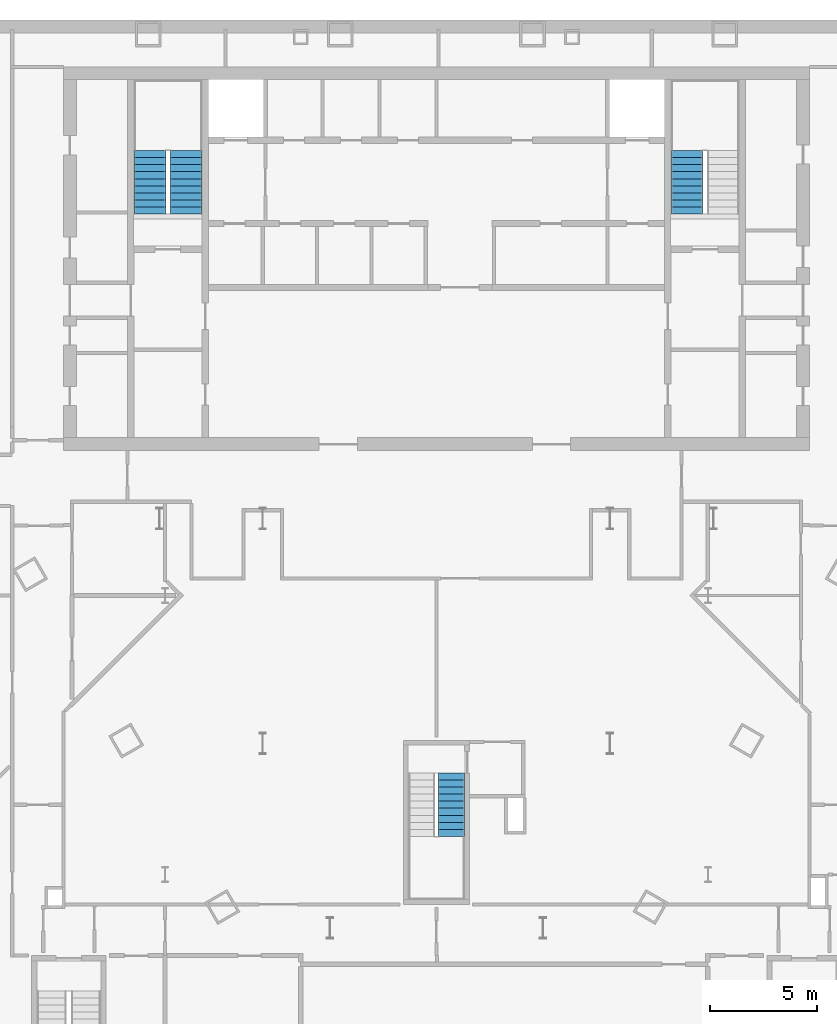
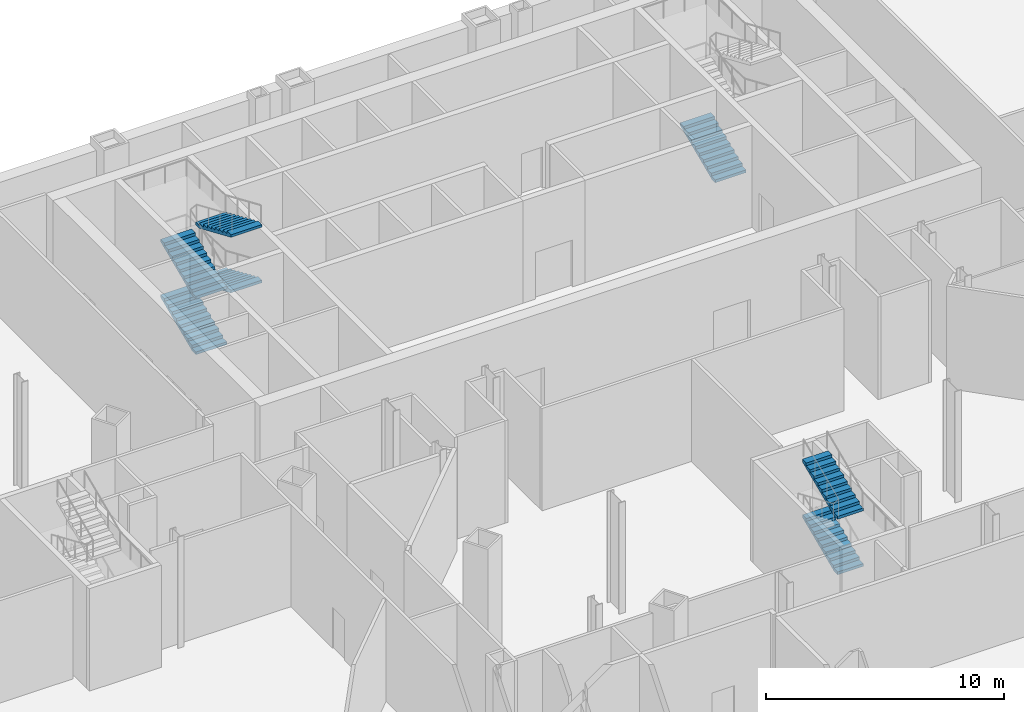
# One storey, part 14 of 17: 7 stair flights, 3 elements without a shape of their own.
"""IFC4 building model written with IfcOpenShell, lengths in metres."""

from ifc_helpers import new_model, si_unit, direction, frame, origin, place, context, subcontext, project, spatial, polygons, material, type_object, element, aggregate, save


model = new_model("IFC4")

# Units and contexts
model_context = context("Model", 3, precision=1e-05, world=origin(), true_north=direction((0.0, 1.0)))
body_context = subcontext(model_context, "Body", "Model", "MODEL_VIEW")
ifc_project = project(units=[si_unit("LENGTHUNIT", "METRE"), si_unit("AREAUNIT", "SQUARE_METRE"), si_unit("VOLUMEUNIT", "CUBIC_METRE"), si_unit("PLANEANGLEUNIT", "RADIAN"), si_unit("MASSUNIT", "GRAM", prefix="KILO")], contexts=[model_context])

# Site, building, storey
site_placement = place(None, origin())
site = spatial("IfcSite", under=ifc_project, at=site_placement, CompositionType="ELEMENT")
building_placement = place(site_placement, origin())
building = spatial("IfcBuilding", under=site, at=building_placement, Name="Njiva Tower", CompositionType="ELEMENT")
storey_placement = place(building_placement, frame((0.0, 0.0, -11.4)))
storey = spatial("IfcBuildingStorey", under=building, at=storey_placement, Name="B2", CompositionType="ELEMENT", Elevation=-11.4)

# Stair, stair flights
ifc_material = material(Name="Concrete C40/50", Category="concrete")
stair_type_1 = type_object("IfcStairType", Name="ST1 Exit stair 1250", PredefinedType="HALF_TURN_STAIR", material=ifc_material)
stair_1_placement = place(storey_placement, origin())
stair_1 = element("IfcStair", 1, at=stair_1_placement, inside=storey, type_object=stair_type_1, Name="Stair C basement", PredefinedType="DOUBLE_RETURN_STAIR")
stair_flight_type_1 = type_object("IfcStairFlightType", Name="FL1 Stair flight 1250", PredefinedType="STRAIGHT", material=ifc_material)
stair_flight_1_placement = place(storey_placement, frame((0.7, -18.105, 1.425), z_axis=(0.0, 0.0, 1.0), x_axis=(0.0, 1.0, 0.0)))
stair_flight_1 = element("IfcStairFlight", 2, at=stair_flight_1_placement, type_object=stair_flight_type_1, Name="ST-CB flight 2", NumberOfRisers=10, NumberOfTreads=9, PredefinedType="STRAIGHT", RiserHeight=0.1425, TreadLength=0.33, context=body_context, shape_type="Tessellation", body=[
    polygons([(0.0, 0.625, 0.0), (0.0, 0.3125, 0.0), (0.0, 0.0, 0.0), (0.0, -0.3125, 0.0), (0.0, -0.625, 0.0), (0.0, 0.625, 0.1425), (0.0, 0.3125, 0.1425), (0.0, 0.0, 0.1425), (0.0, -0.3125, 0.1425), (0.0, -0.625, 0.1425), (0.33, 0.625, 0.1425), (0.33, 0.3125, 0.1425), (0.33, 0.0, 0.1425), (0.33, -0.3125, 0.1425), (0.33, -0.625, 0.1425), (0.33, 0.625, 0.285), (0.33, 0.3125, 0.285), (0.33, 0.0, 0.285), (0.33, -0.3125, 0.285), (0.33, -0.625, 0.285), (0.66, 0.625, 0.285), (0.66, 0.3125, 0.285), (0.66, 0.0, 0.285), (0.66, -0.3125, 0.285), (0.66, -0.625, 0.285), (0.66, 0.625, 0.4275), (0.66, 0.3125, 0.4275), (0.66, 0.0, 0.4275), (0.66, -0.3125, 0.4275), (0.66, -0.625, 0.4275), (0.99, 0.625, 0.4275), (0.99, 0.3125, 0.4275), (0.99, 0.0, 0.4275), (0.99, -0.3125, 0.4275), (0.99, -0.625, 0.4275), (0.99, 0.625, 0.57), (0.99, 0.3125, 0.57), (0.99, 0.0, 0.57), (0.99, -0.3125, 0.57), (0.99, -0.625, 0.57), (1.32, 0.625, 0.57), (1.32, 0.3125, 0.57), (1.32, 0.0, 0.57), (1.32, -0.3125, 0.57), (1.32, -0.625, 0.57), (1.32, 0.625, 0.7125), (1.32, 0.3125, 0.7125), (1.32, 0.0, 0.7125), (1.32, -0.3125, 0.7125), (1.32, -0.625, 0.7125), (1.65, 0.625, 0.7125), (1.65, 0.3125, 0.7125), (1.65, 0.0, 0.7125), (1.65, -0.3125, 0.7125), (1.65, -0.625, 0.7125), (1.65, 0.625, 0.855), (1.65, 0.3125, 0.855), (1.65, 0.0, 0.855), (1.65, -0.3125, 0.855), (1.65, -0.625, 0.855), (1.98, 0.625, 0.855), (1.98, 0.3125, 0.855), (1.98, 0.0, 0.855), (1.98, -0.3125, 0.855), (1.98, -0.625, 0.855), (1.98, 0.625, 0.9975), (1.98, 0.3125, 0.9975), (1.98, 0.0, 0.9975), (1.98, -0.3125, 0.9975), (1.98, -0.625, 0.9975), (2.31, 0.625, 0.9975), (2.31, 0.3125, 0.9975), (2.31, 0.0, 0.9975), (2.31, -0.3125, 0.9975), (2.31, -0.625, 0.9975), (2.31, 0.625, 1.14), (2.31, 0.3125, 1.14), (2.31, 0.0, 1.14), (2.31, -0.3125, 1.14), (2.31, -0.625, 1.14), (2.64, 0.625, 1.14), (2.64, 0.3125, 1.14), (2.64, 0.0, 1.14), (2.64, -0.3125, 1.14), (2.64, -0.625, 1.14), (2.64, 0.625, 1.2825), (2.64, 0.3125, 1.2825), (2.64, 0.0, 1.2825), (2.64, -0.3125, 1.2825), (2.64, -0.625, 1.2825), (2.97, 0.625, 1.2825), (2.97, 0.3125, 1.2825), (2.97, 0.0, 1.2825), (2.97, -0.3125, 1.2825), (2.97, -0.625, 1.2825), (2.97, 0.625, 1.1518), (2.97, 0.3125, 1.1518), (2.97, 0.0, 1.1518), (2.97, -0.3125, 1.1518), (2.97, -0.625, 1.1518), (0.3027, 0.625, 0.0), (0.3027, 0.3125, 0.0), (0.3027, 0.0, 0.0), (0.3027, -0.3125, 0.0), (0.3027, -0.625, 0.0)], [[[1, 6, 11, 16, 21, 26, 31, 36, 41, 46, 51, 56, 61, 66, 71, 76, 81, 86, 91, 96, 101]], [[105, 100, 95, 90, 85, 80, 75, 70, 65, 60, 55, 50, 45, 40, 35, 30, 25, 20, 15, 10, 5]], [[6, 1, 2, 7]], [[7, 2, 3, 8]], [[8, 3, 4, 9]], [[9, 4, 5, 10]], [[11, 6, 7, 12]], [[12, 7, 8, 13]], [[13, 8, 9, 14]], [[14, 9, 10, 15]], [[16, 11, 12, 17]], [[17, 12, 13, 18]], [[18, 13, 14, 19]], [[19, 14, 15, 20]], [[21, 16, 17, 22]], [[22, 17, 18, 23]], [[23, 18, 19, 24]], [[24, 19, 20, 25]], [[26, 21, 22, 27]], [[27, 22, 23, 28]], [[28, 23, 24, 29]], [[29, 24, 25, 30]], [[31, 26, 27, 32]], [[32, 27, 28, 33]], [[33, 28, 29, 34]], [[34, 29, 30, 35]], [[36, 31, 32, 37]], [[37, 32, 33, 38]], [[38, 33, 34, 39]], [[39, 34, 35, 40]], [[41, 36, 37, 42]], [[42, 37, 38, 43]], [[43, 38, 39, 44]], [[44, 39, 40, 45]], [[46, 41, 42, 47]], [[47, 42, 43, 48]], [[48, 43, 44, 49]], [[49, 44, 45, 50]], [[51, 46, 47, 52]], [[52, 47, 48, 53]], [[53, 48, 49, 54]], [[54, 49, 50, 55]], [[56, 51, 52, 57]], [[57, 52, 53, 58]], [[58, 53, 54, 59]], [[59, 54, 55, 60]], [[61, 56, 57, 62]], [[62, 57, 58, 63]], [[63, 58, 59, 64]], [[64, 59, 60, 65]], [[66, 61, 62, 67]], [[67, 62, 63, 68]], [[68, 63, 64, 69]], [[69, 64, 65, 70]], [[71, 66, 67, 72]], [[72, 67, 68, 73]], [[73, 68, 69, 74]], [[74, 69, 70, 75]], [[76, 71, 72, 77]], [[77, 72, 73, 78]], [[78, 73, 74, 79]], [[79, 74, 75, 80]], [[81, 76, 77, 82]], [[82, 77, 78, 83]], [[83, 78, 79, 84]], [[84, 79, 80, 85]], [[86, 81, 82, 87]], [[87, 82, 83, 88]], [[88, 83, 84, 89]], [[89, 84, 85, 90]], [[91, 86, 87, 92]], [[92, 87, 88, 93]], [[93, 88, 89, 94]], [[94, 89, 90, 95]], [[96, 91, 92, 97]], [[97, 92, 93, 98]], [[98, 93, 94, 99]], [[99, 94, 95, 100]], [[101, 96, 97, 102]], [[102, 97, 98, 103]], [[103, 98, 99, 104]], [[104, 99, 100, 105]], [[1, 101, 102, 2]], [[2, 102, 103, 3]], [[3, 103, 104, 4]], [[4, 104, 105, 5]]], closed=True),
])
stair_flight_2_placement = place(storey_placement, frame((0.7, -18.105, 4.275), z_axis=(0.0, 0.0, 1.0), x_axis=(0.0, 1.0, 0.0)))
stair_flight_2 = element("IfcStairFlight", 3, at=stair_flight_2_placement, type_object=stair_flight_type_1, Name="ST-CB flight 4", NumberOfRisers=10, NumberOfTreads=9, PredefinedType="STRAIGHT", RiserHeight=0.1425, TreadLength=0.33, context=body_context, shape_type="Tessellation", body=[
    polygons([(0.0, 0.625, 0.0), (0.0, 0.3125, 0.0), (0.0, 0.0, 0.0), (0.0, -0.3125, 0.0), (0.0, -0.625, 0.0), (0.0, 0.625, 0.1425), (0.0, 0.3125, 0.1425), (0.0, 0.0, 0.1425), (0.0, -0.3125, 0.1425), (0.0, -0.625, 0.1425), (0.33, 0.625, 0.1425), (0.33, 0.3125, 0.1425), (0.33, 0.0, 0.1425), (0.33, -0.3125, 0.1425), (0.33, -0.625, 0.1425), (0.33, 0.625, 0.285), (0.33, 0.3125, 0.285), (0.33, 0.0, 0.285), (0.33, -0.3125, 0.285), (0.33, -0.625, 0.285), (0.66, 0.625, 0.285), (0.66, 0.3125, 0.285), (0.66, 0.0, 0.285), (0.66, -0.3125, 0.285), (0.66, -0.625, 0.285), (0.66, 0.625, 0.4275), (0.66, 0.3125, 0.4275), (0.66, 0.0, 0.4275), (0.66, -0.3125, 0.4275), (0.66, -0.625, 0.4275), (0.99, 0.625, 0.4275), (0.99, 0.3125, 0.4275), (0.99, 0.0, 0.4275), (0.99, -0.3125, 0.4275), (0.99, -0.625, 0.4275), (0.99, 0.625, 0.57), (0.99, 0.3125, 0.57), (0.99, 0.0, 0.57), (0.99, -0.3125, 0.57), (0.99, -0.625, 0.57), (1.32, 0.625, 0.57), (1.32, 0.3125, 0.57), (1.32, 0.0, 0.57), (1.32, -0.3125, 0.57), (1.32, -0.625, 0.57), (1.32, 0.625, 0.7125), (1.32, 0.3125, 0.7125), (1.32, 0.0, 0.7125), (1.32, -0.3125, 0.7125), (1.32, -0.625, 0.7125), (1.65, 0.625, 0.7125), (1.65, 0.3125, 0.7125), (1.65, 0.0, 0.7125), (1.65, -0.3125, 0.7125), (1.65, -0.625, 0.7125), (1.65, 0.625, 0.855), (1.65, 0.3125, 0.855), (1.65, 0.0, 0.855), (1.65, -0.3125, 0.855), (1.65, -0.625, 0.855), (1.98, 0.625, 0.855), (1.98, 0.3125, 0.855), (1.98, 0.0, 0.855), (1.98, -0.3125, 0.855), (1.98, -0.625, 0.855), (1.98, 0.625, 0.9975), (1.98, 0.3125, 0.9975), (1.98, 0.0, 0.9975), (1.98, -0.3125, 0.9975), (1.98, -0.625, 0.9975), (2.31, 0.625, 0.9975), (2.31, 0.3125, 0.9975), (2.31, 0.0, 0.9975), (2.31, -0.3125, 0.9975), (2.31, -0.625, 0.9975), (2.31, 0.625, 1.14), (2.31, 0.3125, 1.14), (2.31, 0.0, 1.14), (2.31, -0.3125, 1.14), (2.31, -0.625, 1.14), (2.64, 0.625, 1.14), (2.64, 0.3125, 1.14), (2.64, 0.0, 1.14), (2.64, -0.3125, 1.14), (2.64, -0.625, 1.14), (2.64, 0.625, 1.2825), (2.64, 0.3125, 1.2825), (2.64, 0.0, 1.2825), (2.64, -0.3125, 1.2825), (2.64, -0.625, 1.2825), (2.97, 0.625, 1.2825), (2.97, 0.3125, 1.2825), (2.97, 0.0, 1.2825), (2.97, -0.3125, 1.2825), (2.97, -0.625, 1.2825), (2.97, 0.625, 1.1518), (2.97, 0.3125, 1.1518), (2.97, 0.0, 1.1518), (2.97, -0.3125, 1.1518), (2.97, -0.625, 1.1518), (0.3027, 0.625, 0.0), (0.3027, 0.3125, 0.0), (0.3027, 0.0, 0.0), (0.3027, -0.3125, 0.0), (0.3027, -0.625, 0.0)], [[[1, 6, 11, 16, 21, 26, 31, 36, 41, 46, 51, 56, 61, 66, 71, 76, 81, 86, 91, 96, 101]], [[105, 100, 95, 90, 85, 80, 75, 70, 65, 60, 55, 50, 45, 40, 35, 30, 25, 20, 15, 10, 5]], [[6, 1, 2, 7]], [[7, 2, 3, 8]], [[8, 3, 4, 9]], [[9, 4, 5, 10]], [[11, 6, 7, 12]], [[12, 7, 8, 13]], [[13, 8, 9, 14]], [[14, 9, 10, 15]], [[16, 11, 12, 17]], [[17, 12, 13, 18]], [[18, 13, 14, 19]], [[19, 14, 15, 20]], [[21, 16, 17, 22]], [[22, 17, 18, 23]], [[23, 18, 19, 24]], [[24, 19, 20, 25]], [[26, 21, 22, 27]], [[27, 22, 23, 28]], [[28, 23, 24, 29]], [[29, 24, 25, 30]], [[31, 26, 27, 32]], [[32, 27, 28, 33]], [[33, 28, 29, 34]], [[34, 29, 30, 35]], [[36, 31, 32, 37]], [[37, 32, 33, 38]], [[38, 33, 34, 39]], [[39, 34, 35, 40]], [[41, 36, 37, 42]], [[42, 37, 38, 43]], [[43, 38, 39, 44]], [[44, 39, 40, 45]], [[46, 41, 42, 47]], [[47, 42, 43, 48]], [[48, 43, 44, 49]], [[49, 44, 45, 50]], [[51, 46, 47, 52]], [[52, 47, 48, 53]], [[53, 48, 49, 54]], [[54, 49, 50, 55]], [[56, 51, 52, 57]], [[57, 52, 53, 58]], [[58, 53, 54, 59]], [[59, 54, 55, 60]], [[61, 56, 57, 62]], [[62, 57, 58, 63]], [[63, 58, 59, 64]], [[64, 59, 60, 65]], [[66, 61, 62, 67]], [[67, 62, 63, 68]], [[68, 63, 64, 69]], [[69, 64, 65, 70]], [[71, 66, 67, 72]], [[72, 67, 68, 73]], [[73, 68, 69, 74]], [[74, 69, 70, 75]], [[76, 71, 72, 77]], [[77, 72, 73, 78]], [[78, 73, 74, 79]], [[79, 74, 75, 80]], [[81, 76, 77, 82]], [[82, 77, 78, 83]], [[83, 78, 79, 84]], [[84, 79, 80, 85]], [[86, 81, 82, 87]], [[87, 82, 83, 88]], [[88, 83, 84, 89]], [[89, 84, 85, 90]], [[91, 86, 87, 92]], [[92, 87, 88, 93]], [[93, 88, 89, 94]], [[94, 89, 90, 95]], [[96, 91, 92, 97]], [[97, 92, 93, 98]], [[98, 93, 94, 99]], [[99, 94, 95, 100]], [[101, 96, 97, 102]], [[102, 97, 98, 103]], [[103, 98, 99, 104]], [[104, 99, 100, 105]], [[1, 101, 102, 2]], [[2, 102, 103, 3]], [[3, 103, 104, 4]], [[4, 104, 105, 5]]], closed=True),
])
aggregate(stair_1, [stair_flight_1, stair_flight_2])

stair_type_2 = type_object("IfcStairType", Name="ST4 Exit stair 1500", PredefinedType="HALF_TURN_STAIR", material=ifc_material)
stair_2_placement = place(storey_placement, origin())
stair_2 = element("IfcStair", 4, at=stair_2_placement, inside=storey, type_object=stair_type_2, Name="Stair A basement", PredefinedType="DOUBLE_RETURN_STAIR")
stair_flight_type_2 = type_object("IfcStairFlightType", Name="FL4 Stair flight 1500", PredefinedType="STRAIGHT", material=ifc_material)
stair_flight_3_placement = place(storey_placement, frame((-13.45, 11.1, 0.0), z_axis=(0.0, 0.0, 1.0), x_axis=(0.0, 1.0, 0.0)))
stair_flight_3 = element("IfcStairFlight", 5, at=stair_flight_3_placement, type_object=stair_flight_type_2, Name="ST-AB flight 1", NumberOfRisers=10, NumberOfTreads=9, PredefinedType="STRAIGHT", RiserHeight=0.1425, TreadLength=0.33, context=body_context, shape_type="Tessellation", body=[
    polygons([(0.0, 0.75, 0.0), (0.0, 0.375, 0.0), (0.0, 0.0, 0.0), (0.0, -0.375, 0.0), (0.0, -0.75, 0.0), (0.0, 0.75, 0.1425), (0.0, 0.375, 0.1425), (0.0, 0.0, 0.1425), (0.0, -0.375, 0.1425), (0.0, -0.75, 0.1425), (0.33, 0.75, 0.1425), (0.33, 0.375, 0.1425), (0.33, 0.0, 0.1425), (0.33, -0.375, 0.1425), (0.33, -0.75, 0.1425), (0.33, 0.75, 0.285), (0.33, 0.375, 0.285), (0.33, 0.0, 0.285), (0.33, -0.375, 0.285), (0.33, -0.75, 0.285), (0.66, 0.75, 0.285), (0.66, 0.375, 0.285), (0.66, 0.0, 0.285), (0.66, -0.375, 0.285), (0.66, -0.75, 0.285), (0.66, 0.75, 0.4275), (0.66, 0.375, 0.4275), (0.66, 0.0, 0.4275), (0.66, -0.375, 0.4275), (0.66, -0.75, 0.4275), (0.99, 0.75, 0.4275), (0.99, 0.375, 0.4275), (0.99, 0.0, 0.4275), (0.99, -0.375, 0.4275), (0.99, -0.75, 0.4275), (0.99, 0.75, 0.57), (0.99, 0.375, 0.57), (0.99, 0.0, 0.57), (0.99, -0.375, 0.57), (0.99, -0.75, 0.57), (1.32, 0.75, 0.57), (1.32, 0.375, 0.57), (1.32, 0.0, 0.57), (1.32, -0.375, 0.57), (1.32, -0.75, 0.57), (1.32, 0.75, 0.7125), (1.32, 0.375, 0.7125), (1.32, 0.0, 0.7125), (1.32, -0.375, 0.7125), (1.32, -0.75, 0.7125), (1.65, 0.75, 0.7125), (1.65, 0.375, 0.7125), (1.65, 0.0, 0.7125), (1.65, -0.375, 0.7125), (1.65, -0.75, 0.7125), (1.65, 0.75, 0.855), (1.65, 0.375, 0.855), (1.65, 0.0, 0.855), (1.65, -0.375, 0.855), (1.65, -0.75, 0.855), (1.98, 0.75, 0.855), (1.98, 0.375, 0.855), (1.98, 0.0, 0.855), (1.98, -0.375, 0.855), (1.98, -0.75, 0.855), (1.98, 0.75, 0.9975), (1.98, 0.375, 0.9975), (1.98, 0.0, 0.9975), (1.98, -0.375, 0.9975), (1.98, -0.75, 0.9975), (2.31, 0.75, 0.9975), (2.31, 0.375, 0.9975), (2.31, 0.0, 0.9975), (2.31, -0.375, 0.9975), (2.31, -0.75, 0.9975), (2.31, 0.75, 1.14), (2.31, 0.375, 1.14), (2.31, 0.0, 1.14), (2.31, -0.375, 1.14), (2.31, -0.75, 1.14), (2.64, 0.75, 1.14), (2.64, 0.375, 1.14), (2.64, 0.0, 1.14), (2.64, -0.375, 1.14), (2.64, -0.75, 1.14), (2.64, 0.75, 1.2825), (2.64, 0.375, 1.2825), (2.64, 0.0, 1.2825), (2.64, -0.375, 1.2825), (2.64, -0.75, 1.2825), (2.97, 0.75, 1.2825), (2.97, 0.375, 1.2825), (2.97, 0.0, 1.2825), (2.97, -0.375, 1.2825), (2.97, -0.75, 1.2825), (2.97, 0.75, 1.1518), (2.97, 0.375, 1.1518), (2.97, 0.0, 1.1518), (2.97, -0.375, 1.1518), (2.97, -0.75, 1.1518), (0.3027, 0.75, 0.0), (0.3027, 0.375, 0.0), (0.3027, 0.0, 0.0), (0.3027, -0.375, 0.0), (0.3027, -0.75, 0.0)], [[[1, 6, 11, 16, 21, 26, 31, 36, 41, 46, 51, 56, 61, 66, 71, 76, 81, 86, 91, 96, 101]], [[105, 100, 95, 90, 85, 80, 75, 70, 65, 60, 55, 50, 45, 40, 35, 30, 25, 20, 15, 10, 5]], [[6, 1, 2, 7]], [[7, 2, 3, 8]], [[8, 3, 4, 9]], [[9, 4, 5, 10]], [[11, 6, 7, 12]], [[12, 7, 8, 13]], [[13, 8, 9, 14]], [[14, 9, 10, 15]], [[16, 11, 12, 17]], [[17, 12, 13, 18]], [[18, 13, 14, 19]], [[19, 14, 15, 20]], [[21, 16, 17, 22]], [[22, 17, 18, 23]], [[23, 18, 19, 24]], [[24, 19, 20, 25]], [[26, 21, 22, 27]], [[27, 22, 23, 28]], [[28, 23, 24, 29]], [[29, 24, 25, 30]], [[31, 26, 27, 32]], [[32, 27, 28, 33]], [[33, 28, 29, 34]], [[34, 29, 30, 35]], [[36, 31, 32, 37]], [[37, 32, 33, 38]], [[38, 33, 34, 39]], [[39, 34, 35, 40]], [[41, 36, 37, 42]], [[42, 37, 38, 43]], [[43, 38, 39, 44]], [[44, 39, 40, 45]], [[46, 41, 42, 47]], [[47, 42, 43, 48]], [[48, 43, 44, 49]], [[49, 44, 45, 50]], [[51, 46, 47, 52]], [[52, 47, 48, 53]], [[53, 48, 49, 54]], [[54, 49, 50, 55]], [[56, 51, 52, 57]], [[57, 52, 53, 58]], [[58, 53, 54, 59]], [[59, 54, 55, 60]], [[61, 56, 57, 62]], [[62, 57, 58, 63]], [[63, 58, 59, 64]], [[64, 59, 60, 65]], [[66, 61, 62, 67]], [[67, 62, 63, 68]], [[68, 63, 64, 69]], [[69, 64, 65, 70]], [[71, 66, 67, 72]], [[72, 67, 68, 73]], [[73, 68, 69, 74]], [[74, 69, 70, 75]], [[76, 71, 72, 77]], [[77, 72, 73, 78]], [[78, 73, 74, 79]], [[79, 74, 75, 80]], [[81, 76, 77, 82]], [[82, 77, 78, 83]], [[83, 78, 79, 84]], [[84, 79, 80, 85]], [[86, 81, 82, 87]], [[87, 82, 83, 88]], [[88, 83, 84, 89]], [[89, 84, 85, 90]], [[91, 86, 87, 92]], [[92, 87, 88, 93]], [[93, 88, 89, 94]], [[94, 89, 90, 95]], [[96, 91, 92, 97]], [[97, 92, 93, 98]], [[98, 93, 94, 99]], [[99, 94, 95, 100]], [[101, 96, 97, 102]], [[102, 97, 98, 103]], [[103, 98, 99, 104]], [[104, 99, 100, 105]], [[1, 101, 102, 2]], [[2, 102, 103, 3]], [[3, 103, 104, 4]], [[4, 104, 105, 5]]], closed=True),
])
stair_flight_4_placement = place(storey_placement, frame((-11.75, 14.07, 1.425), z_axis=(0.0, 0.0, 1.0), x_axis=(0.0, -1.0, 0.0)))
stair_flight_4 = element("IfcStairFlight", 6, at=stair_flight_4_placement, type_object=stair_flight_type_2, Name="ST-AB flight 2", NumberOfRisers=10, NumberOfTreads=9, PredefinedType="STRAIGHT", RiserHeight=0.1425, TreadLength=0.33, context=body_context, shape_type="Tessellation", body=[
    polygons([(0.0, 0.75, 0.0), (0.0, 0.375, 0.0), (0.0, 0.0, 0.0), (0.0, -0.375, 0.0), (0.0, -0.75, 0.0), (0.0, 0.75, 0.1425), (0.0, 0.375, 0.1425), (0.0, 0.0, 0.1425), (0.0, -0.375, 0.1425), (0.0, -0.75, 0.1425), (0.33, 0.75, 0.1425), (0.33, 0.375, 0.1425), (0.33, 0.0, 0.1425), (0.33, -0.375, 0.1425), (0.33, -0.75, 0.1425), (0.33, 0.75, 0.285), (0.33, 0.375, 0.285), (0.33, 0.0, 0.285), (0.33, -0.375, 0.285), (0.33, -0.75, 0.285), (0.66, 0.75, 0.285), (0.66, 0.375, 0.285), (0.66, 0.0, 0.285), (0.66, -0.375, 0.285), (0.66, -0.75, 0.285), (0.66, 0.75, 0.4275), (0.66, 0.375, 0.4275), (0.66, 0.0, 0.4275), (0.66, -0.375, 0.4275), (0.66, -0.75, 0.4275), (0.99, 0.75, 0.4275), (0.99, 0.375, 0.4275), (0.99, 0.0, 0.4275), (0.99, -0.375, 0.4275), (0.99, -0.75, 0.4275), (0.99, 0.75, 0.57), (0.99, 0.375, 0.57), (0.99, 0.0, 0.57), (0.99, -0.375, 0.57), (0.99, -0.75, 0.57), (1.32, 0.75, 0.57), (1.32, 0.375, 0.57), (1.32, 0.0, 0.57), (1.32, -0.375, 0.57), (1.32, -0.75, 0.57), (1.32, 0.75, 0.7125), (1.32, 0.375, 0.7125), (1.32, 0.0, 0.7125), (1.32, -0.375, 0.7125), (1.32, -0.75, 0.7125), (1.65, 0.75, 0.7125), (1.65, 0.375, 0.7125), (1.65, 0.0, 0.7125), (1.65, -0.375, 0.7125), (1.65, -0.75, 0.7125), (1.65, 0.75, 0.855), (1.65, 0.375, 0.855), (1.65, 0.0, 0.855), (1.65, -0.375, 0.855), (1.65, -0.75, 0.855), (1.98, 0.75, 0.855), (1.98, 0.375, 0.855), (1.98, 0.0, 0.855), (1.98, -0.375, 0.855), (1.98, -0.75, 0.855), (1.98, 0.75, 0.9975), (1.98, 0.375, 0.9975), (1.98, 0.0, 0.9975), (1.98, -0.375, 0.9975), (1.98, -0.75, 0.9975), (2.31, 0.75, 0.9975), (2.31, 0.375, 0.9975), (2.31, 0.0, 0.9975), (2.31, -0.375, 0.9975), (2.31, -0.75, 0.9975), (2.31, 0.75, 1.14), (2.31, 0.375, 1.14), (2.31, 0.0, 1.14), (2.31, -0.375, 1.14), (2.31, -0.75, 1.14), (2.64, 0.75, 1.14), (2.64, 0.375, 1.14), (2.64, 0.0, 1.14), (2.64, -0.375, 1.14), (2.64, -0.75, 1.14), (2.64, 0.75, 1.2825), (2.64, 0.375, 1.2825), (2.64, 0.0, 1.2825), (2.64, -0.375, 1.2825), (2.64, -0.75, 1.2825), (2.97, 0.75, 1.2825), (2.97, 0.375, 1.2825), (2.97, 0.0, 1.2825), (2.97, -0.375, 1.2825), (2.97, -0.75, 1.2825), (2.97, 0.75, 1.1518), (2.97, 0.375, 1.1518), (2.97, 0.0, 1.1518), (2.97, -0.375, 1.1518), (2.97, -0.75, 1.1518), (0.3027, 0.75, 0.0), (0.3027, 0.375, 0.0), (0.3027, 0.0, 0.0), (0.3027, -0.375, 0.0), (0.3027, -0.75, 0.0)], [[[1, 6, 11, 16, 21, 26, 31, 36, 41, 46, 51, 56, 61, 66, 71, 76, 81, 86, 91, 96, 101]], [[105, 100, 95, 90, 85, 80, 75, 70, 65, 60, 55, 50, 45, 40, 35, 30, 25, 20, 15, 10, 5]], [[6, 1, 2, 7]], [[7, 2, 3, 8]], [[8, 3, 4, 9]], [[9, 4, 5, 10]], [[11, 6, 7, 12]], [[12, 7, 8, 13]], [[13, 8, 9, 14]], [[14, 9, 10, 15]], [[16, 11, 12, 17]], [[17, 12, 13, 18]], [[18, 13, 14, 19]], [[19, 14, 15, 20]], [[21, 16, 17, 22]], [[22, 17, 18, 23]], [[23, 18, 19, 24]], [[24, 19, 20, 25]], [[26, 21, 22, 27]], [[27, 22, 23, 28]], [[28, 23, 24, 29]], [[29, 24, 25, 30]], [[31, 26, 27, 32]], [[32, 27, 28, 33]], [[33, 28, 29, 34]], [[34, 29, 30, 35]], [[36, 31, 32, 37]], [[37, 32, 33, 38]], [[38, 33, 34, 39]], [[39, 34, 35, 40]], [[41, 36, 37, 42]], [[42, 37, 38, 43]], [[43, 38, 39, 44]], [[44, 39, 40, 45]], [[46, 41, 42, 47]], [[47, 42, 43, 48]], [[48, 43, 44, 49]], [[49, 44, 45, 50]], [[51, 46, 47, 52]], [[52, 47, 48, 53]], [[53, 48, 49, 54]], [[54, 49, 50, 55]], [[56, 51, 52, 57]], [[57, 52, 53, 58]], [[58, 53, 54, 59]], [[59, 54, 55, 60]], [[61, 56, 57, 62]], [[62, 57, 58, 63]], [[63, 58, 59, 64]], [[64, 59, 60, 65]], [[66, 61, 62, 67]], [[67, 62, 63, 68]], [[68, 63, 64, 69]], [[69, 64, 65, 70]], [[71, 66, 67, 72]], [[72, 67, 68, 73]], [[73, 68, 69, 74]], [[74, 69, 70, 75]], [[76, 71, 72, 77]], [[77, 72, 73, 78]], [[78, 73, 74, 79]], [[79, 74, 75, 80]], [[81, 76, 77, 82]], [[82, 77, 78, 83]], [[83, 78, 79, 84]], [[84, 79, 80, 85]], [[86, 81, 82, 87]], [[87, 82, 83, 88]], [[88, 83, 84, 89]], [[89, 84, 85, 90]], [[91, 86, 87, 92]], [[92, 87, 88, 93]], [[93, 88, 89, 94]], [[94, 89, 90, 95]], [[96, 91, 92, 97]], [[97, 92, 93, 98]], [[98, 93, 94, 99]], [[99, 94, 95, 100]], [[101, 96, 97, 102]], [[102, 97, 98, 103]], [[103, 98, 99, 104]], [[104, 99, 100, 105]], [[1, 101, 102, 2]], [[2, 102, 103, 3]], [[3, 103, 104, 4]], [[4, 104, 105, 5]]], closed=True),
])
stair_flight_5_placement = place(storey_placement, frame((-13.45, 11.1, 2.85), z_axis=(0.0, 0.0, 1.0), x_axis=(0.0, 1.0, 0.0)))
stair_flight_5 = element("IfcStairFlight", 7, at=stair_flight_5_placement, type_object=stair_flight_type_2, Name="ST-AB flight 3", NumberOfRisers=10, NumberOfTreads=9, PredefinedType="STRAIGHT", RiserHeight=0.1425, TreadLength=0.33, context=body_context, shape_type="Tessellation", body=[
    polygons([(0.0, 0.75, 0.0), (0.0, 0.375, 0.0), (0.0, 0.0, 0.0), (0.0, -0.375, 0.0), (0.0, -0.75, 0.0), (0.0, 0.75, 0.1425), (0.0, 0.375, 0.1425), (0.0, 0.0, 0.1425), (0.0, -0.375, 0.1425), (0.0, -0.75, 0.1425), (0.33, 0.75, 0.1425), (0.33, 0.375, 0.1425), (0.33, 0.0, 0.1425), (0.33, -0.375, 0.1425), (0.33, -0.75, 0.1425), (0.33, 0.75, 0.285), (0.33, 0.375, 0.285), (0.33, 0.0, 0.285), (0.33, -0.375, 0.285), (0.33, -0.75, 0.285), (0.66, 0.75, 0.285), (0.66, 0.375, 0.285), (0.66, 0.0, 0.285), (0.66, -0.375, 0.285), (0.66, -0.75, 0.285), (0.66, 0.75, 0.4275), (0.66, 0.375, 0.4275), (0.66, 0.0, 0.4275), (0.66, -0.375, 0.4275), (0.66, -0.75, 0.4275), (0.99, 0.75, 0.4275), (0.99, 0.375, 0.4275), (0.99, 0.0, 0.4275), (0.99, -0.375, 0.4275), (0.99, -0.75, 0.4275), (0.99, 0.75, 0.57), (0.99, 0.375, 0.57), (0.99, 0.0, 0.57), (0.99, -0.375, 0.57), (0.99, -0.75, 0.57), (1.32, 0.75, 0.57), (1.32, 0.375, 0.57), (1.32, 0.0, 0.57), (1.32, -0.375, 0.57), (1.32, -0.75, 0.57), (1.32, 0.75, 0.7125), (1.32, 0.375, 0.7125), (1.32, 0.0, 0.7125), (1.32, -0.375, 0.7125), (1.32, -0.75, 0.7125), (1.65, 0.75, 0.7125), (1.65, 0.375, 0.7125), (1.65, 0.0, 0.7125), (1.65, -0.375, 0.7125), (1.65, -0.75, 0.7125), (1.65, 0.75, 0.855), (1.65, 0.375, 0.855), (1.65, 0.0, 0.855), (1.65, -0.375, 0.855), (1.65, -0.75, 0.855), (1.98, 0.75, 0.855), (1.98, 0.375, 0.855), (1.98, 0.0, 0.855), (1.98, -0.375, 0.855), (1.98, -0.75, 0.855), (1.98, 0.75, 0.9975), (1.98, 0.375, 0.9975), (1.98, 0.0, 0.9975), (1.98, -0.375, 0.9975), (1.98, -0.75, 0.9975), (2.31, 0.75, 0.9975), (2.31, 0.375, 0.9975), (2.31, 0.0, 0.9975), (2.31, -0.375, 0.9975), (2.31, -0.75, 0.9975), (2.31, 0.75, 1.14), (2.31, 0.375, 1.14), (2.31, 0.0, 1.14), (2.31, -0.375, 1.14), (2.31, -0.75, 1.14), (2.64, 0.75, 1.14), (2.64, 0.375, 1.14), (2.64, 0.0, 1.14), (2.64, -0.375, 1.14), (2.64, -0.75, 1.14), (2.64, 0.75, 1.2825), (2.64, 0.375, 1.2825), (2.64, 0.0, 1.2825), (2.64, -0.375, 1.2825), (2.64, -0.75, 1.2825), (2.97, 0.75, 1.2825), (2.97, 0.375, 1.2825), (2.97, 0.0, 1.2825), (2.97, -0.375, 1.2825), (2.97, -0.75, 1.2825), (2.97, 0.75, 1.1518), (2.97, 0.375, 1.1518), (2.97, 0.0, 1.1518), (2.97, -0.375, 1.1518), (2.97, -0.75, 1.1518), (0.3027, 0.75, 0.0), (0.3027, 0.375, 0.0), (0.3027, 0.0, 0.0), (0.3027, -0.375, 0.0), (0.3027, -0.75, 0.0)], [[[1, 6, 11, 16, 21, 26, 31, 36, 41, 46, 51, 56, 61, 66, 71, 76, 81, 86, 91, 96, 101]], [[105, 100, 95, 90, 85, 80, 75, 70, 65, 60, 55, 50, 45, 40, 35, 30, 25, 20, 15, 10, 5]], [[6, 1, 2, 7]], [[7, 2, 3, 8]], [[8, 3, 4, 9]], [[9, 4, 5, 10]], [[11, 6, 7, 12]], [[12, 7, 8, 13]], [[13, 8, 9, 14]], [[14, 9, 10, 15]], [[16, 11, 12, 17]], [[17, 12, 13, 18]], [[18, 13, 14, 19]], [[19, 14, 15, 20]], [[21, 16, 17, 22]], [[22, 17, 18, 23]], [[23, 18, 19, 24]], [[24, 19, 20, 25]], [[26, 21, 22, 27]], [[27, 22, 23, 28]], [[28, 23, 24, 29]], [[29, 24, 25, 30]], [[31, 26, 27, 32]], [[32, 27, 28, 33]], [[33, 28, 29, 34]], [[34, 29, 30, 35]], [[36, 31, 32, 37]], [[37, 32, 33, 38]], [[38, 33, 34, 39]], [[39, 34, 35, 40]], [[41, 36, 37, 42]], [[42, 37, 38, 43]], [[43, 38, 39, 44]], [[44, 39, 40, 45]], [[46, 41, 42, 47]], [[47, 42, 43, 48]], [[48, 43, 44, 49]], [[49, 44, 45, 50]], [[51, 46, 47, 52]], [[52, 47, 48, 53]], [[53, 48, 49, 54]], [[54, 49, 50, 55]], [[56, 51, 52, 57]], [[57, 52, 53, 58]], [[58, 53, 54, 59]], [[59, 54, 55, 60]], [[61, 56, 57, 62]], [[62, 57, 58, 63]], [[63, 58, 59, 64]], [[64, 59, 60, 65]], [[66, 61, 62, 67]], [[67, 62, 63, 68]], [[68, 63, 64, 69]], [[69, 64, 65, 70]], [[71, 66, 67, 72]], [[72, 67, 68, 73]], [[73, 68, 69, 74]], [[74, 69, 70, 75]], [[76, 71, 72, 77]], [[77, 72, 73, 78]], [[78, 73, 74, 79]], [[79, 74, 75, 80]], [[81, 76, 77, 82]], [[82, 77, 78, 83]], [[83, 78, 79, 84]], [[84, 79, 80, 85]], [[86, 81, 82, 87]], [[87, 82, 83, 88]], [[88, 83, 84, 89]], [[89, 84, 85, 90]], [[91, 86, 87, 92]], [[92, 87, 88, 93]], [[93, 88, 89, 94]], [[94, 89, 90, 95]], [[96, 91, 92, 97]], [[97, 92, 93, 98]], [[98, 93, 94, 99]], [[99, 94, 95, 100]], [[101, 96, 97, 102]], [[102, 97, 98, 103]], [[103, 98, 99, 104]], [[104, 99, 100, 105]], [[1, 101, 102, 2]], [[2, 102, 103, 3]], [[3, 103, 104, 4]], [[4, 104, 105, 5]]], closed=True),
])
stair_flight_6_placement = place(storey_placement, frame((-11.75, 14.07, 4.275), z_axis=(0.0, 0.0, 1.0), x_axis=(0.0, -1.0, 0.0)))
stair_flight_6 = element("IfcStairFlight", 8, at=stair_flight_6_placement, type_object=stair_flight_type_2, Name="ST-AB flight 4", NumberOfRisers=10, NumberOfTreads=9, PredefinedType="STRAIGHT", RiserHeight=0.1425, TreadLength=0.33, context=body_context, shape_type="Tessellation", body=[
    polygons([(0.0, 0.75, 0.0), (0.0, 0.375, 0.0), (0.0, 0.0, 0.0), (0.0, -0.375, 0.0), (0.0, -0.75, 0.0), (0.0, 0.75, 0.1425), (0.0, 0.375, 0.1425), (0.0, 0.0, 0.1425), (0.0, -0.375, 0.1425), (0.0, -0.75, 0.1425), (0.33, 0.75, 0.1425), (0.33, 0.375, 0.1425), (0.33, 0.0, 0.1425), (0.33, -0.375, 0.1425), (0.33, -0.75, 0.1425), (0.33, 0.75, 0.285), (0.33, 0.375, 0.285), (0.33, 0.0, 0.285), (0.33, -0.375, 0.285), (0.33, -0.75, 0.285), (0.66, 0.75, 0.285), (0.66, 0.375, 0.285), (0.66, 0.0, 0.285), (0.66, -0.375, 0.285), (0.66, -0.75, 0.285), (0.66, 0.75, 0.4275), (0.66, 0.375, 0.4275), (0.66, 0.0, 0.4275), (0.66, -0.375, 0.4275), (0.66, -0.75, 0.4275), (0.99, 0.75, 0.4275), (0.99, 0.375, 0.4275), (0.99, 0.0, 0.4275), (0.99, -0.375, 0.4275), (0.99, -0.75, 0.4275), (0.99, 0.75, 0.57), (0.99, 0.375, 0.57), (0.99, 0.0, 0.57), (0.99, -0.375, 0.57), (0.99, -0.75, 0.57), (1.32, 0.75, 0.57), (1.32, 0.375, 0.57), (1.32, 0.0, 0.57), (1.32, -0.375, 0.57), (1.32, -0.75, 0.57), (1.32, 0.75, 0.7125), (1.32, 0.375, 0.7125), (1.32, 0.0, 0.7125), (1.32, -0.375, 0.7125), (1.32, -0.75, 0.7125), (1.65, 0.75, 0.7125), (1.65, 0.375, 0.7125), (1.65, 0.0, 0.7125), (1.65, -0.375, 0.7125), (1.65, -0.75, 0.7125), (1.65, 0.75, 0.855), (1.65, 0.375, 0.855), (1.65, 0.0, 0.855), (1.65, -0.375, 0.855), (1.65, -0.75, 0.855), (1.98, 0.75, 0.855), (1.98, 0.375, 0.855), (1.98, 0.0, 0.855), (1.98, -0.375, 0.855), (1.98, -0.75, 0.855), (1.98, 0.75, 0.9975), (1.98, 0.375, 0.9975), (1.98, 0.0, 0.9975), (1.98, -0.375, 0.9975), (1.98, -0.75, 0.9975), (2.31, 0.75, 0.9975), (2.31, 0.375, 0.9975), (2.31, 0.0, 0.9975), (2.31, -0.375, 0.9975), (2.31, -0.75, 0.9975), (2.31, 0.75, 1.14), (2.31, 0.375, 1.14), (2.31, 0.0, 1.14), (2.31, -0.375, 1.14), (2.31, -0.75, 1.14), (2.64, 0.75, 1.14), (2.64, 0.375, 1.14), (2.64, 0.0, 1.14), (2.64, -0.375, 1.14), (2.64, -0.75, 1.14), (2.64, 0.75, 1.2825), (2.64, 0.375, 1.2825), (2.64, 0.0, 1.2825), (2.64, -0.375, 1.2825), (2.64, -0.75, 1.2825), (2.97, 0.75, 1.2825), (2.97, 0.375, 1.2825), (2.97, 0.0, 1.2825), (2.97, -0.375, 1.2825), (2.97, -0.75, 1.2825), (2.97, 0.75, 1.1518), (2.97, 0.375, 1.1518), (2.97, 0.0, 1.1518), (2.97, -0.375, 1.1518), (2.97, -0.75, 1.1518), (0.3027, 0.75, 0.0), (0.3027, 0.375, 0.0), (0.3027, 0.0, 0.0), (0.3027, -0.375, 0.0), (0.3027, -0.75, 0.0)], [[[1, 6, 11, 16, 21, 26, 31, 36, 41, 46, 51, 56, 61, 66, 71, 76, 81, 86, 91, 96, 101]], [[105, 100, 95, 90, 85, 80, 75, 70, 65, 60, 55, 50, 45, 40, 35, 30, 25, 20, 15, 10, 5]], [[6, 1, 2, 7]], [[7, 2, 3, 8]], [[8, 3, 4, 9]], [[9, 4, 5, 10]], [[11, 6, 7, 12]], [[12, 7, 8, 13]], [[13, 8, 9, 14]], [[14, 9, 10, 15]], [[16, 11, 12, 17]], [[17, 12, 13, 18]], [[18, 13, 14, 19]], [[19, 14, 15, 20]], [[21, 16, 17, 22]], [[22, 17, 18, 23]], [[23, 18, 19, 24]], [[24, 19, 20, 25]], [[26, 21, 22, 27]], [[27, 22, 23, 28]], [[28, 23, 24, 29]], [[29, 24, 25, 30]], [[31, 26, 27, 32]], [[32, 27, 28, 33]], [[33, 28, 29, 34]], [[34, 29, 30, 35]], [[36, 31, 32, 37]], [[37, 32, 33, 38]], [[38, 33, 34, 39]], [[39, 34, 35, 40]], [[41, 36, 37, 42]], [[42, 37, 38, 43]], [[43, 38, 39, 44]], [[44, 39, 40, 45]], [[46, 41, 42, 47]], [[47, 42, 43, 48]], [[48, 43, 44, 49]], [[49, 44, 45, 50]], [[51, 46, 47, 52]], [[52, 47, 48, 53]], [[53, 48, 49, 54]], [[54, 49, 50, 55]], [[56, 51, 52, 57]], [[57, 52, 53, 58]], [[58, 53, 54, 59]], [[59, 54, 55, 60]], [[61, 56, 57, 62]], [[62, 57, 58, 63]], [[63, 58, 59, 64]], [[64, 59, 60, 65]], [[66, 61, 62, 67]], [[67, 62, 63, 68]], [[68, 63, 64, 69]], [[69, 64, 65, 70]], [[71, 66, 67, 72]], [[72, 67, 68, 73]], [[73, 68, 69, 74]], [[74, 69, 70, 75]], [[76, 71, 72, 77]], [[77, 72, 73, 78]], [[78, 73, 74, 79]], [[79, 74, 75, 80]], [[81, 76, 77, 82]], [[82, 77, 78, 83]], [[83, 78, 79, 84]], [[84, 79, 80, 85]], [[86, 81, 82, 87]], [[87, 82, 83, 88]], [[88, 83, 84, 89]], [[89, 84, 85, 90]], [[91, 86, 87, 92]], [[92, 87, 88, 93]], [[93, 88, 89, 94]], [[94, 89, 90, 95]], [[96, 91, 92, 97]], [[97, 92, 93, 98]], [[98, 93, 94, 99]], [[99, 94, 95, 100]], [[101, 96, 97, 102]], [[102, 97, 98, 103]], [[103, 98, 99, 104]], [[104, 99, 100, 105]], [[1, 101, 102, 2]], [[2, 102, 103, 3]], [[3, 103, 104, 4]], [[4, 104, 105, 5]]], closed=True),
])
aggregate(stair_2, [stair_flight_3, stair_flight_4, stair_flight_5, stair_flight_6])

# Stair, stair flight
stair_3_placement = place(storey_placement, origin())
stair_3 = element("IfcStair", 9, at=stair_3_placement, inside=storey, type_object=stair_type_2, Name="Stair B basement", PredefinedType="DOUBLE_RETURN_STAIR")
stair_flight_7_placement = place(storey_placement, frame((11.75, 11.1, 0.0), z_axis=(0.0, 0.0, 1.0), x_axis=(0.0, 1.0, 0.0)))
stair_flight_7 = element("IfcStairFlight", 10, at=stair_flight_7_placement, type_object=stair_flight_type_2, Name="ST-BB flight 1", NumberOfRisers=10, NumberOfTreads=9, PredefinedType="STRAIGHT", RiserHeight=0.1425, TreadLength=0.33, context=body_context, shape_type="Tessellation", body=[
    polygons([(0.0, 0.75, 0.0), (0.0, 0.375, 0.0), (0.0, 0.0, 0.0), (0.0, -0.375, 0.0), (0.0, -0.75, 0.0), (0.0, 0.75, 0.1425), (0.0, 0.375, 0.1425), (0.0, 0.0, 0.1425), (0.0, -0.375, 0.1425), (0.0, -0.75, 0.1425), (0.33, 0.75, 0.1425), (0.33, 0.375, 0.1425), (0.33, 0.0, 0.1425), (0.33, -0.375, 0.1425), (0.33, -0.75, 0.1425), (0.33, 0.75, 0.285), (0.33, 0.375, 0.285), (0.33, 0.0, 0.285), (0.33, -0.375, 0.285), (0.33, -0.75, 0.285), (0.66, 0.75, 0.285), (0.66, 0.375, 0.285), (0.66, 0.0, 0.285), (0.66, -0.375, 0.285), (0.66, -0.75, 0.285), (0.66, 0.75, 0.4275), (0.66, 0.375, 0.4275), (0.66, 0.0, 0.4275), (0.66, -0.375, 0.4275), (0.66, -0.75, 0.4275), (0.99, 0.75, 0.4275), (0.99, 0.375, 0.4275), (0.99, 0.0, 0.4275), (0.99, -0.375, 0.4275), (0.99, -0.75, 0.4275), (0.99, 0.75, 0.57), (0.99, 0.375, 0.57), (0.99, 0.0, 0.57), (0.99, -0.375, 0.57), (0.99, -0.75, 0.57), (1.32, 0.75, 0.57), (1.32, 0.375, 0.57), (1.32, 0.0, 0.57), (1.32, -0.375, 0.57), (1.32, -0.75, 0.57), (1.32, 0.75, 0.7125), (1.32, 0.375, 0.7125), (1.32, 0.0, 0.7125), (1.32, -0.375, 0.7125), (1.32, -0.75, 0.7125), (1.65, 0.75, 0.7125), (1.65, 0.375, 0.7125), (1.65, 0.0, 0.7125), (1.65, -0.375, 0.7125), (1.65, -0.75, 0.7125), (1.65, 0.75, 0.855), (1.65, 0.375, 0.855), (1.65, 0.0, 0.855), (1.65, -0.375, 0.855), (1.65, -0.75, 0.855), (1.98, 0.75, 0.855), (1.98, 0.375, 0.855), (1.98, 0.0, 0.855), (1.98, -0.375, 0.855), (1.98, -0.75, 0.855), (1.98, 0.75, 0.9975), (1.98, 0.375, 0.9975), (1.98, 0.0, 0.9975), (1.98, -0.375, 0.9975), (1.98, -0.75, 0.9975), (2.31, 0.75, 0.9975), (2.31, 0.375, 0.9975), (2.31, 0.0, 0.9975), (2.31, -0.375, 0.9975), (2.31, -0.75, 0.9975), (2.31, 0.75, 1.14), (2.31, 0.375, 1.14), (2.31, 0.0, 1.14), (2.31, -0.375, 1.14), (2.31, -0.75, 1.14), (2.64, 0.75, 1.14), (2.64, 0.375, 1.14), (2.64, 0.0, 1.14), (2.64, -0.375, 1.14), (2.64, -0.75, 1.14), (2.64, 0.75, 1.2825), (2.64, 0.375, 1.2825), (2.64, 0.0, 1.2825), (2.64, -0.375, 1.2825), (2.64, -0.75, 1.2825), (2.97, 0.75, 1.2825), (2.97, 0.375, 1.2825), (2.97, 0.0, 1.2825), (2.97, -0.375, 1.2825), (2.97, -0.75, 1.2825), (2.97, 0.75, 1.1518), (2.97, 0.375, 1.1518), (2.97, 0.0, 1.1518), (2.97, -0.375, 1.1518), (2.97, -0.75, 1.1518), (0.3027, 0.75, 0.0), (0.3027, 0.375, 0.0), (0.3027, 0.0, 0.0), (0.3027, -0.375, 0.0), (0.3027, -0.75, 0.0)], [[[1, 6, 11, 16, 21, 26, 31, 36, 41, 46, 51, 56, 61, 66, 71, 76, 81, 86, 91, 96, 101]], [[105, 100, 95, 90, 85, 80, 75, 70, 65, 60, 55, 50, 45, 40, 35, 30, 25, 20, 15, 10, 5]], [[6, 1, 2, 7]], [[7, 2, 3, 8]], [[8, 3, 4, 9]], [[9, 4, 5, 10]], [[11, 6, 7, 12]], [[12, 7, 8, 13]], [[13, 8, 9, 14]], [[14, 9, 10, 15]], [[16, 11, 12, 17]], [[17, 12, 13, 18]], [[18, 13, 14, 19]], [[19, 14, 15, 20]], [[21, 16, 17, 22]], [[22, 17, 18, 23]], [[23, 18, 19, 24]], [[24, 19, 20, 25]], [[26, 21, 22, 27]], [[27, 22, 23, 28]], [[28, 23, 24, 29]], [[29, 24, 25, 30]], [[31, 26, 27, 32]], [[32, 27, 28, 33]], [[33, 28, 29, 34]], [[34, 29, 30, 35]], [[36, 31, 32, 37]], [[37, 32, 33, 38]], [[38, 33, 34, 39]], [[39, 34, 35, 40]], [[41, 36, 37, 42]], [[42, 37, 38, 43]], [[43, 38, 39, 44]], [[44, 39, 40, 45]], [[46, 41, 42, 47]], [[47, 42, 43, 48]], [[48, 43, 44, 49]], [[49, 44, 45, 50]], [[51, 46, 47, 52]], [[52, 47, 48, 53]], [[53, 48, 49, 54]], [[54, 49, 50, 55]], [[56, 51, 52, 57]], [[57, 52, 53, 58]], [[58, 53, 54, 59]], [[59, 54, 55, 60]], [[61, 56, 57, 62]], [[62, 57, 58, 63]], [[63, 58, 59, 64]], [[64, 59, 60, 65]], [[66, 61, 62, 67]], [[67, 62, 63, 68]], [[68, 63, 64, 69]], [[69, 64, 65, 70]], [[71, 66, 67, 72]], [[72, 67, 68, 73]], [[73, 68, 69, 74]], [[74, 69, 70, 75]], [[76, 71, 72, 77]], [[77, 72, 73, 78]], [[78, 73, 74, 79]], [[79, 74, 75, 80]], [[81, 76, 77, 82]], [[82, 77, 78, 83]], [[83, 78, 79, 84]], [[84, 79, 80, 85]], [[86, 81, 82, 87]], [[87, 82, 83, 88]], [[88, 83, 84, 89]], [[89, 84, 85, 90]], [[91, 86, 87, 92]], [[92, 87, 88, 93]], [[93, 88, 89, 94]], [[94, 89, 90, 95]], [[96, 91, 92, 97]], [[97, 92, 93, 98]], [[98, 93, 94, 99]], [[99, 94, 95, 100]], [[101, 96, 97, 102]], [[102, 97, 98, 103]], [[103, 98, 99, 104]], [[104, 99, 100, 105]], [[1, 101, 102, 2]], [[2, 102, 103, 3]], [[3, 103, 104, 4]], [[4, 104, 105, 5]]], closed=True),
])
aggregate(stair_3, [stair_flight_7])

save(model, "model.ifc")
